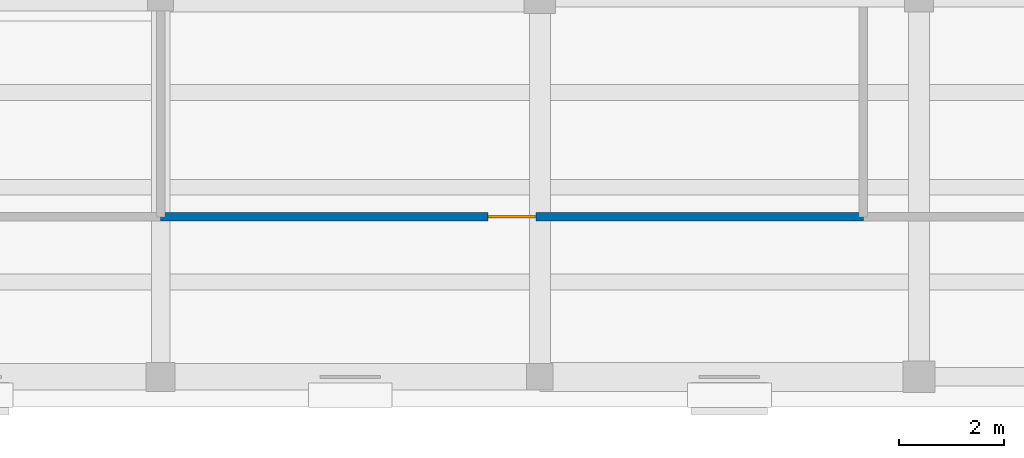
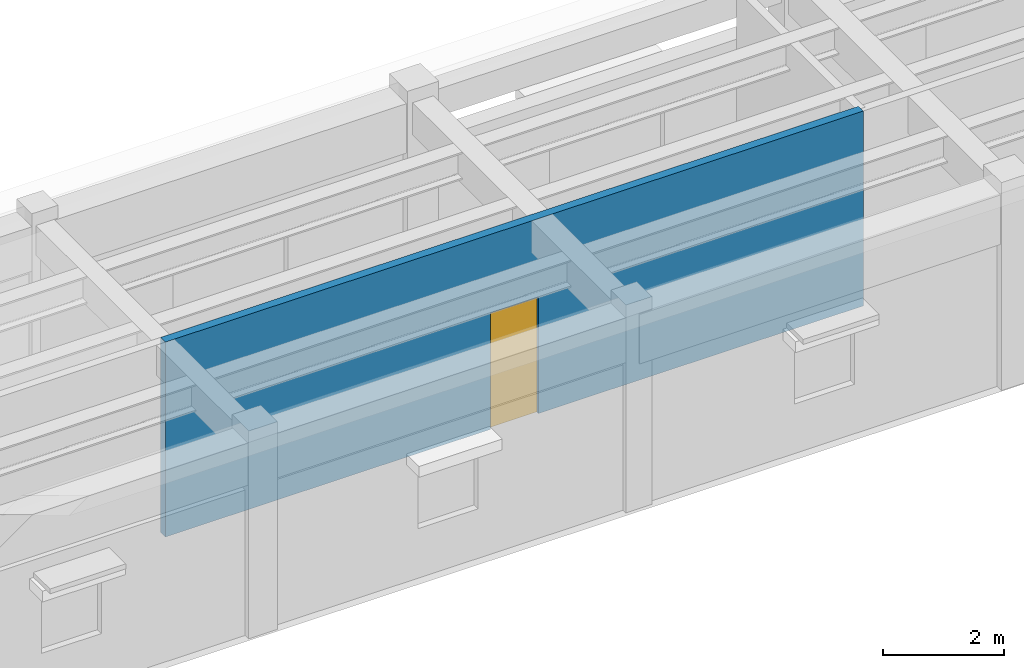
# One storey, part 13 of 27: 1 door, 1 wall, 1 opening.
"""IFC4 building model written with IfcOpenShell, lengths in metres."""

from ifc_helpers import new_model, si_unit, direction, frame, frame_2d, origin, place, context, subcontext, project, spatial, rectangle, extrude, material, layer, layer_set, type_object, element, fill, save


model = new_model("IFC4")

# Units and contexts
model_context = context("Model", 3, precision=1e-05, world=origin(), true_north=direction((0.0, 1.0)))
body_context = subcontext(model_context, "Body", "Model", "MODEL_VIEW")
ifc_project = project(units=[si_unit("LENGTHUNIT", "METRE"), si_unit("AREAUNIT", "SQUARE_METRE"), si_unit("VOLUMEUNIT", "CUBIC_METRE"), si_unit("PLANEANGLEUNIT", "RADIAN"), si_unit("MASSUNIT", "GRAM", prefix="KILO")], contexts=[model_context])

# Site, building, storey
site_placement = place(None, origin())
site = spatial("IfcSite", under=ifc_project, at=site_placement, CompositionType="ELEMENT")
building_placement = place(site_placement, origin())
building = spatial("IfcBuilding", under=site, at=building_placement, Name="Mithqara Police Headquarters", CompositionType="ELEMENT")
storey_placement = place(building_placement, frame((0.0, 0.0, 18.0)))
storey = spatial("IfcBuildingStorey", under=building, at=storey_placement, Name="L04", CompositionType="ELEMENT", Elevation=18.0)

# Wall, opening, door
ifc_material_1 = material(Name="Gypsum acoustic stud partition", Category="gypsum")
ifc_layer = layer(ifc_material_1, 0.159912109375, Name="Gypsum acoustic stud partition")
ifc_layer_set = layer_set([ifc_layer], Name="Gypsum acoustic stud partition")
wall_type = type_object("IfcWallType", Name="PART WALL 160", PredefinedType="PARTITIONING", material=ifc_layer_set)
wall_placement = place(storey_placement, frame((58.199951171875, 81.639892578125, 0.0), z_axis=(0.0, 0.0, 1.0), x_axis=(1.0, 0.0, 0.0)))
wall = element("IfcWall", 1, at=wall_placement, inside=storey, type_object=wall_type, Name="L04 Corridor Wall Witness Interview Suite", PredefinedType="PARTITIONING", context=body_context, shape_type="SweptSolid", body=[
    extrude(rectangle(XDim=13.344970703125, YDim=0.159912109375, at=frame_2d((6.67236328125, 0.0))), origin(), (0.0, 0.0, 1.0), 3.93994140625),
])
opening_placement = place(wall_placement, frame((6.21240234375, 0.0, 0.0)))
opening = element("IfcOpeningElement", 2, at=opening_placement, cuts=wall, Name="Opening D-03", PredefinedType="OPENING", context=body_context, shape_type="SweptSolid", body=[
    extrude(rectangle(XDim=0.919921875, YDim=2.35009765625, at=frame_2d((0.4599609375, 1.175048828125))), frame((0.0, 0.08984375, 0.0), z_axis=(0.0, -1.0, 0.0), x_axis=(1.0, 0.0, 0.0)), (0.0, 0.0, 1.0), 0.179931640625),
])
ifc_material_2 = material(Name="Acoustic solid-core timber leaf", Category="wood")
door_type = type_object("IfcDoorType", Name="INT DOOR 920X2350", OperationType="NOTDEFINED", PredefinedType="DOOR", material=ifc_material_2)
door_placement = place(opening_placement, origin())
door = element("IfcDoor", 3, at=door_placement, inside=storey, type_object=door_type, Name="Witness Interview Suite Entry Door", OperationType="SINGLE_SWING_RIGHT", OverallHeight=2.35009765625, OverallWidth=0.919921875, PredefinedType="DOOR", context=body_context, shape_type="SweptSolid", body=[
    extrude(rectangle(XDim=0.919921875, YDim=2.35009765625, at=frame_2d((0.4599609375, 1.175048828125))), frame((0.0, 0.02490234375, 0.0), z_axis=(0.0, -1.0, 0.0), x_axis=(1.0, 0.0, 0.0)), (0.0, 0.0, 1.0), 0.050048828125),
])
fill(opening, door)

save(model, "model.ifc")
